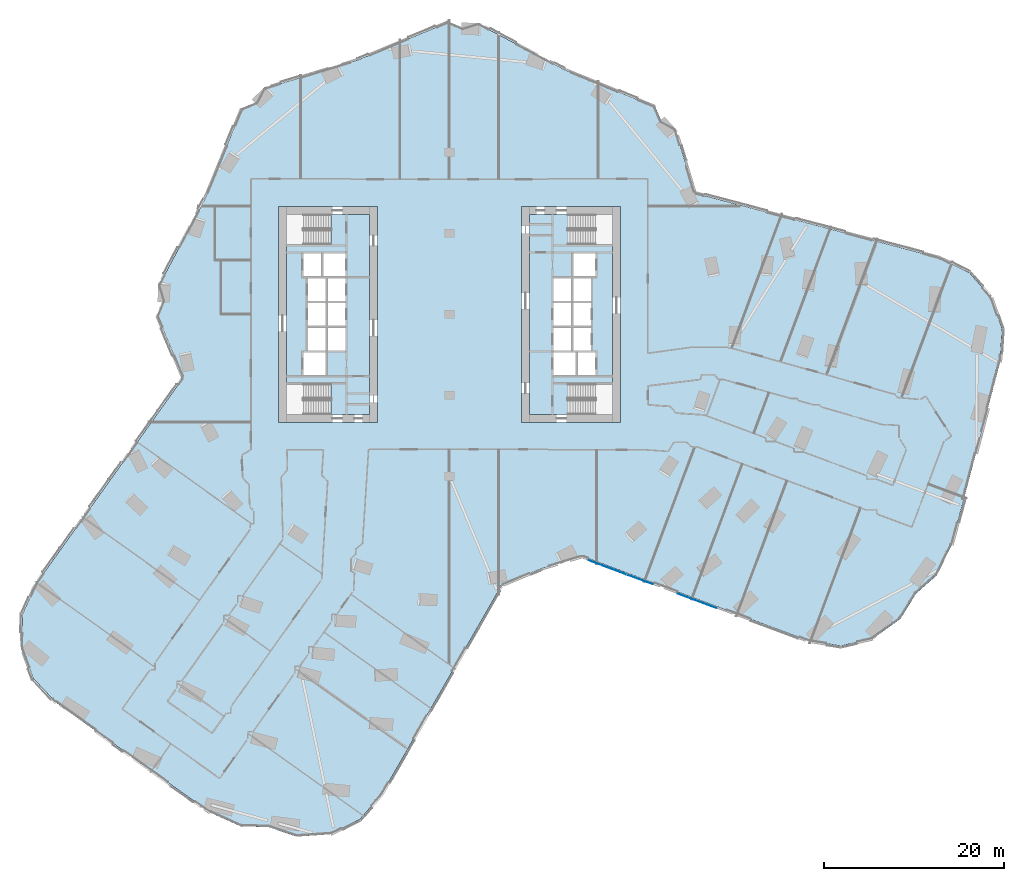
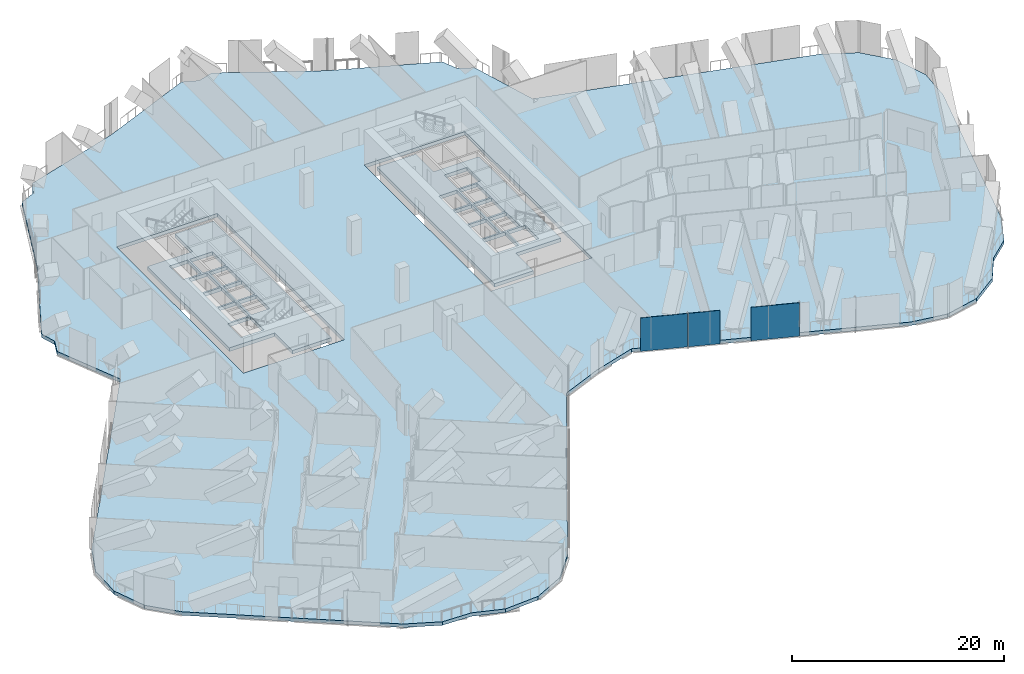
# One storey, part 20 of 34: 3 plates, 3 slabs, 1 element without a shape of its own.
"""IFC4 building model written with IfcOpenShell, lengths in metres."""

from ifc_helpers import new_model, si_unit, direction, frame, origin, origin_2d, place, context, subcontext, project, spatial, polyline, rectangle, outline, extrude, material, layer, layer_set, type_object, element, aggregate, save


model = new_model("IFC4")

# Units and contexts
model_context = context("Model", 3, precision=1e-05, world=origin(), true_north=direction((0.0, 1.0)))
body_context = subcontext(model_context, "Body", "Model", "MODEL_VIEW")
ifc_project = project(units=[si_unit("LENGTHUNIT", "METRE"), si_unit("AREAUNIT", "SQUARE_METRE"), si_unit("VOLUMEUNIT", "CUBIC_METRE"), si_unit("PLANEANGLEUNIT", "RADIAN"), si_unit("MASSUNIT", "GRAM", prefix="KILO")], contexts=[model_context])

# Site, building, storey
site_placement = place(None, origin())
site = spatial("IfcSite", under=ifc_project, at=site_placement, CompositionType="ELEMENT")
building_placement = place(site_placement, origin())
building = spatial("IfcBuilding", under=site, at=building_placement, Name="Orlundy Tower", CompositionType="ELEMENT")
storey_placement = place(building_placement, frame((0.0, 0.0, 98.199951171875)))
storey = spatial("IfcBuildingStorey", under=building, at=storey_placement, Name="L24", CompositionType="ELEMENT", Elevation=98.199951171875)

# Curtain wall, plates
ifc_material_1 = material(Name="Aluminium bronze anodised", Category="aluminium")
curtain_wall_type = type_object("IfcCurtainWallType", Name="CW5 wall", PredefinedType="NOTDEFINED", material=ifc_material_1)
curtain_wall_placement = place(storey_placement, origin())
curtain_wall = element("IfcCurtainWall", 1, at=curtain_wall_placement, inside=storey, type_object=curtain_wall_type, Name="CW5 run 041", PredefinedType="NOTDEFINED")
ifc_material_2 = material(Name="Tinted glass", Category="glass")
ifc_layer_1 = layer(ifc_material_2, 0.031982421875)
ifc_layer_set_1 = layer_set([ifc_layer_1], Name="CW5 glass panel 32")
plate_type_1 = type_object("IfcPlateType", Name="CW5 glass panel 32", PredefinedType="CURTAIN_PANEL", material=ifc_layer_set_1)
plate_1_placement = place(storey_placement, frame((27.547119140625, -31.84814453125, -0.259765625), z_axis=(0.0, 0.0, 1.0), x_axis=(-0.936667840729, 0.350219011684, 0.0)))
plate_1 = element("IfcPlate", 2, at=plate_1_placement, type_object=plate_type_1, Name="CW5 panel", PredefinedType="CURTAIN_PANEL", context=body_context, shape_type="SweptSolid", body=[
    extrude(rectangle(XDim=4.6103515625, YDim=0.031982421875, at=origin_2d()), origin(), (0.0, 0.0, 1.0), 3.860107421875),
])
plate_2_placement = place(storey_placement, frame((17.564453125, -28.11572265625, -0.259765625), z_axis=(0.0, 0.0, 1.0), x_axis=(-0.936667840729, 0.350219011684, 0.0)))
plate_2 = element("IfcPlate", 3, at=plate_2_placement, type_object=plate_type_1, Name="CW5 panel", PredefinedType="CURTAIN_PANEL", context=body_context, shape_type="SweptSolid", body=[
    extrude(rectangle(XDim=4.499267578125, YDim=0.031982421875, at=origin_2d()), origin(), (0.0, 0.0, 1.0), 3.860107421875),
])
ifc_material_3 = material(Name="Tinted glass", Category="glass")
ifc_layer_2 = layer(ifc_material_3, 0.031982421875)
ifc_layer_set_2 = layer_set([ifc_layer_2], Name="CW5 vent panel 32")
plate_type_2 = type_object("IfcPlateType", Name="CW5 vent panel 32", PredefinedType="CURTAIN_PANEL", material=ifc_layer_set_2)
plate_3_placement = place(storey_placement, frame((21.14306640625, -29.453857421875, -0.259765625), z_axis=(0.0, 0.0, 1.0), x_axis=(-0.936667840729, 0.350219011684, 0.0)))
plate_3 = element("IfcPlate", 4, at=plate_3_placement, type_object=plate_type_2, Name="CW5 panel", PredefinedType="CURTAIN_PANEL", context=body_context, shape_type="SweptSolid", body=[
    extrude(rectangle(XDim=3.041748046875, YDim=0.031982421875, at=origin_2d()), origin(), (0.0, 0.0, 1.0), 3.860107421875),
])
aggregate(curtain_wall, [plate_1, plate_3, plate_2])

# Slabs
ifc_material_4 = material(Name="Concrete C50/60", Category="concrete")
ifc_layer_3 = layer(ifc_material_4, 0.409912109375)
ifc_layer_set_3 = layer_set([ifc_layer_3], Name="Core Floor Slab 410")
slab_type_1 = type_object("IfcSlabType", Name="Core Floor Slab 410", PredefinedType="FLOOR", material=ifc_layer_set_3)
slab_1_placement = place(storey_placement, frame((0.0, 0.0, -0.409912109375)))
element("IfcSlab", 5, at=slab_1_placement, inside=storey, type_object=slab_type_1, Name="Core floor W19", PredefinedType="FLOOR", context=body_context, shape_type="SweptSolid", body=[
    extrude(outline(polyline([(-13.14501953125, 7.75), (-13.14501953125, 11.10009765625), (-8.89990234375, 11.10009765625), (-8.89990234375, -11.10009765625), (-13.14501953125, -11.10009765625), (-13.14501953125, -7.75), (-18.10009765625, -7.75), (-18.10009765625, 7.75), (-13.14501953125, 7.75)]), holes=[polyline([(-16.239990234375, -6.77490234375), (-13.739990234375, -6.77490234375), (-13.739990234375, -4.22509765625), (-16.239990234375, -4.22509765625), (-16.239990234375, -6.77490234375)]), polyline([(-13.5400390625, -1.47509765625), (-13.5400390625, -4.02490234375), (-11.5400390625, -4.02490234375), (-11.5400390625, -1.47509765625), (-13.5400390625, -1.47509765625)]), polyline([(-13.739990234375, -1.47509765625), (-15.739990234375, -1.47509765625), (-15.739990234375, -4.02490234375), (-13.739990234375, -4.02490234375), (-13.739990234375, -1.47509765625)]), polyline([(-11.5400390625, -1.27490234375), (-11.5400390625, 1.27490234375), (-13.5400390625, 1.27490234375), (-13.5400390625, -1.27490234375), (-11.5400390625, -1.27490234375)]), polyline([(-15.739990234375, -1.27490234375), (-13.739990234375, -1.27490234375), (-13.739990234375, 1.27490234375), (-15.739990234375, 1.27490234375), (-15.739990234375, -1.27490234375)]), polyline([(-13.5400390625, 4.02490234375), (-13.5400390625, 1.47509765625), (-11.5400390625, 1.47509765625), (-11.5400390625, 4.02490234375), (-13.5400390625, 4.02490234375)]), polyline([(-13.739990234375, 4.02490234375), (-15.739990234375, 4.02490234375), (-15.739990234375, 1.47509765625), (-13.739990234375, 1.47509765625), (-13.739990234375, 4.02490234375)]), polyline([(-11.5400390625, 4.22509765625), (-11.5400390625, 6.77490234375), (-14.0400390625, 6.77490234375), (-14.0400390625, 4.22509765625), (-11.5400390625, 4.22509765625)]), polyline([(-16.239990234375, 4.22509765625), (-14.239990234375, 4.22509765625), (-14.239990234375, 6.77490234375), (-16.239990234375, 6.77490234375), (-16.239990234375, 4.22509765625)])]), origin(), (0.0, 0.0, 1.0), 0.409912109375),
])
slab_2_placement = place(storey_placement, frame((0.0, 0.0, -0.409912109375)))
element("IfcSlab", 6, at=slab_2_placement, inside=storey, type_object=slab_type_1, Name="Core floor E19", PredefinedType="FLOOR", context=body_context, shape_type="SweptSolid", body=[
    extrude(outline(polyline([(13.14501953125, -7.75), (13.14501953125, -11.10009765625), (8.89990234375, -11.10009765625), (8.89990234375, 11.10009765625), (13.14501953125, 11.10009765625), (13.14501953125, 7.75), (18.10009765625, 7.75), (18.10009765625, -7.75), (13.14501953125, -7.75)]), holes=[polyline([(16.239990234375, 6.77490234375), (13.739990234375, 6.77490234375), (13.739990234375, 4.22509765625), (16.239990234375, 4.22509765625), (16.239990234375, 6.77490234375)]), polyline([(13.5400390625, 1.47509765625), (13.5400390625, 4.02490234375), (11.5400390625, 4.02490234375), (11.5400390625, 1.47509765625), (13.5400390625, 1.47509765625)]), polyline([(13.739990234375, 1.47509765625), (15.739990234375, 1.47509765625), (15.739990234375, 4.02490234375), (13.739990234375, 4.02490234375), (13.739990234375, 1.47509765625)]), polyline([(11.5400390625, 1.27490234375), (11.5400390625, -1.27490234375), (13.5400390625, -1.27490234375), (13.5400390625, 1.27490234375), (11.5400390625, 1.27490234375)]), polyline([(15.739990234375, 1.27490234375), (13.739990234375, 1.27490234375), (13.739990234375, -1.27490234375), (15.739990234375, -1.27490234375), (15.739990234375, 1.27490234375)]), polyline([(13.5400390625, -4.02490234375), (13.5400390625, -1.47509765625), (11.5400390625, -1.47509765625), (11.5400390625, -4.02490234375), (13.5400390625, -4.02490234375)]), polyline([(13.739990234375, -4.02490234375), (15.739990234375, -4.02490234375), (15.739990234375, -1.47509765625), (13.739990234375, -1.47509765625), (13.739990234375, -4.02490234375)]), polyline([(11.5400390625, -4.22509765625), (11.5400390625, -6.77490234375), (14.0400390625, -6.77490234375), (14.0400390625, -4.22509765625), (11.5400390625, -4.22509765625)]), polyline([(16.239990234375, -4.22509765625), (14.239990234375, -4.22509765625), (14.239990234375, -6.77490234375), (16.239990234375, -6.77490234375), (16.239990234375, -4.22509765625)])]), origin(), (0.0, 0.0, 1.0), 0.409912109375),
])
ifc_material_5 = material(Name="Concrete C45/55", Category="concrete")
ifc_layer_4 = layer(ifc_material_5, 0.39990234375)
ifc_layer_set_4 = layer_set([ifc_layer_4], Name="JUNCTION FLOOR SLAB 400 C45/55")
slab_type_2 = type_object("IfcSlabType", Name="JUNCTION FLOOR SLAB 400 C45/55", PredefinedType="FLOOR", material=ifc_layer_set_4)
slab_3_placement = place(storey_placement, frame((0.0, 0.0, -0.39990234375)))
element("IfcSlab", 7, at=slab_3_placement, inside=storey, type_object=slab_type_2, Name="Floor slab L24", PredefinedType="FLOOR", context=body_context, shape_type="SweptSolid", body=[
    extrude(outline(polyline([(-7.52392578125, -53.322998046875), (-9.9599609375, -56.116943359375), (-13.280029296875, -57.76611328125), (-16.97802734375, -58.02001953125), (-20.10302734375, -56.968994140625), (-23.205078125, -56.8740234375), (-26.583984375, -55.35107421875), (-43.680908203125, -43.156982421875), (-46.220947265625, -40.45703125), (-47.533935546875, -36.989990234375), (-47.4208984375, -33.284912109375), (-45.89794921875, -29.906005859375), (-29.577880859375, -7.02490234375), (-32.471923828125, -0.093994140625), (-31.823974609375, 1.48291015625), (-32.322021484375, 3.112060546875), (-27.18701171875, 12.77001953125), (-23.028076171875, 22.89404296875), (-21.455078125, 23.551025390625), (-20.655029296875, 25.055908203125), (-10.19189453125, 28.2548828125), (-0.093994140625, 32.471923828125), (1.48291015625, 31.823974609375), (3.112060546875, 32.322021484375), (12.77001953125, 27.18701171875), (22.89404296875, 23.028076171875), (23.551025390625, 21.455078125), (25.055908203125, 20.655029296875), (27.251953125, 13.472900390625), (54.4208984375, 6.277099609375), (57.75, 4.64697265625), (60.201904296875, 1.867919921875), (61.404052734375, -1.638916015625), (61.172119140625, -5.337890625), (55.7958984375, -25.638916015625), (54.166015625, -28.968017578125), (51.840087890625, -31.02001953125), (50.10400390625, -33.823974609375), (47.095947265625, -35.989990234375), (43.488037109375, -36.840087890625), (39.8291015625, -36.243896484375), (14.741943359375, -26.864013671875), (10.19189453125, -28.2548828125), (5.800048828125, -30.089111328125), (-7.52392578125, -53.322998046875)]), holes=[polyline([(-8.0, -12.0), (-8.0, 12.0), (-19.0, 12.0), (-19.0, -12.0), (-8.0, -12.0)]), polyline([(19.0, -12.0), (19.0, 12.0), (8.0, 12.0), (8.0, -12.0), (19.0, -12.0)])]), origin(), (0.0, 0.0, 1.0), 0.39990234375),
])

save(model, "model.ifc")
